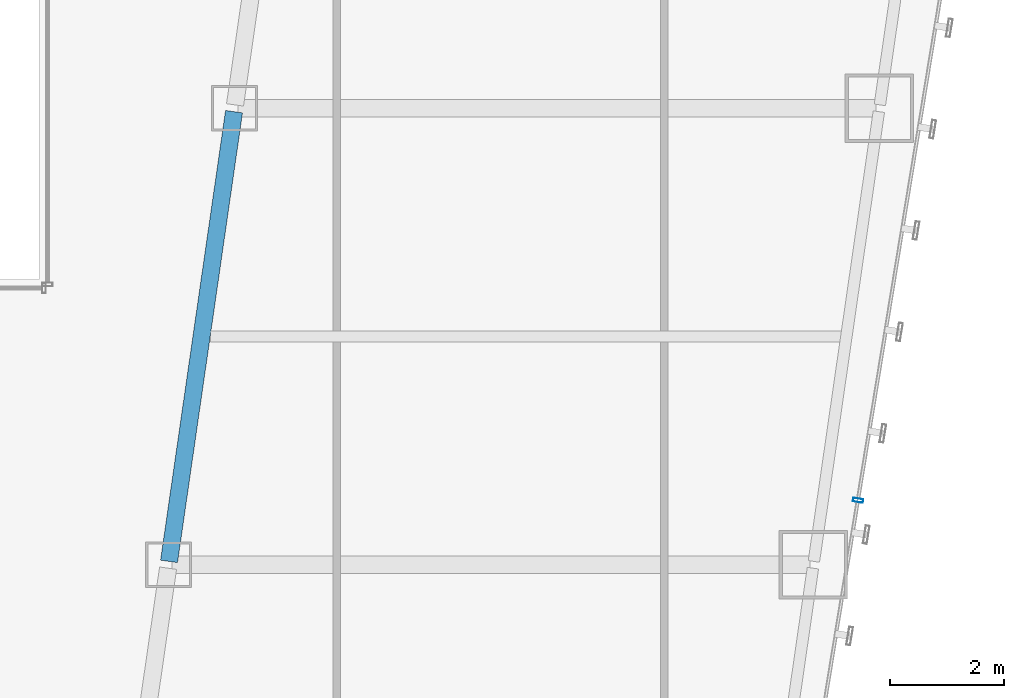
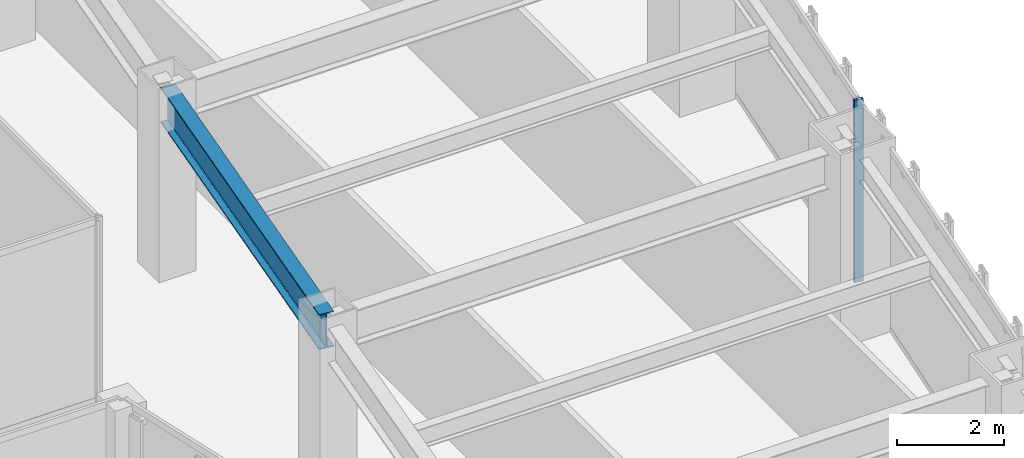
# One storey, part 17 of 49: 1 beam, 1 member, 1 element without a shape of its own.
"""IFC4 building model written with IfcOpenShell, lengths in metres."""

import ifcopenshell
import ifcopenshell.guid

model = None  # the IFC model being written
_history = None  # IfcOwnerHistory: only IFC2X3 demands one
_inside = {}  # id of a spatial element -> (the spatial element, [elements in it])
_under = {}  # id of a project, library or spatial element -> (it, [spatial elements below it])
_declared = {}  # id of a project -> (the project, [libraries it declares])
_typed = {}  # id of a type object -> (the type object, [elements of that type])
_made_of = {}  # id of a material, layer set ... -> (it, [elements and type objects made of it])


def new_model(schema):
    """Start an empty IFC model of exactly this schema.

    Asked for "IFC4X3", IfcOpenShell would pick the latest addendum, in which some entities
    have other attributes; the version numbers below select the first issue.
    IFC2X3 requires an IfcOwnerHistory on every rooted entity: one is made here for all.
    """
    global model, _history
    if schema == "IFC4X3":
        model = ifcopenshell.file(schema_version=(4, 3, 0, 0))
    else:
        model = ifcopenshell.file(schema=schema)
    _inside.clear()
    _under.clear()
    _declared.clear()
    _typed.clear()
    _made_of.clear()
    _history = None
    if model.schema == "IFC2X3":
        org = make("IfcOrganization", Name="unknown")
        user = make(
            "IfcPersonAndOrganization",
            ThePerson=make("IfcPerson", FamilyName="unknown"),
            TheOrganization=org,
        )
        app = make(
            "IfcApplication",
            ApplicationDeveloper=org,
            Version="unknown",
            ApplicationFullName="unknown",
            ApplicationIdentifier="unknown",
        )
        _history = make(
            "IfcOwnerHistory",
            OwningUser=user,
            OwningApplication=app,
            ChangeAction="ADDED",
            CreationDate=0,
        )
    return model


def make(cls, **values):
    """One entity of the class cls with the attributes given. An attribute that is None is left unset."""
    return model.create_entity(
        cls, **{name: value for name, value in values.items() if value is not None}
    )


def rooted(cls, **values):
    """An entity with a GlobalId (a new one), such as an element, a storey or a relation."""
    return make(cls, GlobalId=ifcopenshell.guid.new(), OwnerHistory=_history, **values)


def si_unit(unit_type, name, prefix=None):
    """IfcSIUnit, for example si_unit("LENGTHUNIT", "METRE", prefix="MILLI")."""
    return make("IfcSIUnit", UnitType=unit_type, Prefix=prefix, Name=name)


def assignment(units):
    """IfcUnitAssignment: the units of a project."""
    return None if units is None else make("IfcUnitAssignment", Units=units)


def point(xyz):
    """IfcCartesianPoint."""
    return None if xyz is None else make("IfcCartesianPoint", Coordinates=xyz)


def direction(xyz):
    """IfcDirection."""
    return None if xyz is None else make("IfcDirection", DirectionRatios=xyz)


def frame(location, z_axis=None, x_axis=None):
    """IfcAxis2Placement3D, a coordinate frame: its origin and axes. An axis left out is left unset."""
    return make(
        "IfcAxis2Placement3D",
        Location=point(location),
        Axis=direction(z_axis),
        RefDirection=direction(x_axis),
    )


def frame_2d(location, x_axis=None):
    """IfcAxis2Placement2D, a coordinate frame in the plane: its origin and x axis."""
    return make(
        "IfcAxis2Placement2D", Location=point(location), RefDirection=direction(x_axis)
    )


def origin():
    """The frame at (0, 0, 0) with its axes left unset."""
    return frame((0.0, 0.0, 0.0))


def origin_2d():
    """The frame at (0, 0) in the plane with its x axis left unset."""
    return frame_2d((0.0, 0.0))


def place(relative_to, where):
    """IfcLocalPlacement: puts the frame where relative to a parent placement (None: the world)."""
    return make(
        "IfcLocalPlacement", PlacementRelTo=relative_to, RelativePlacement=where
    )


def context(
    kind, dimensions, precision=None, world=None, true_north=None, identifier=None
):
    """IfcGeometricRepresentationContext, for example the 3D "Model" context."""
    return make(
        "IfcGeometricRepresentationContext",
        ContextIdentifier=identifier,
        ContextType=kind,
        CoordinateSpaceDimension=dimensions,
        Precision=precision,
        WorldCoordinateSystem=world,
        TrueNorth=true_north,
    )


def subcontext(parent, identifier, kind, view, scale=None):
    """IfcGeometricRepresentationSubContext, for example "Body" below "Model"."""
    return make(
        "IfcGeometricRepresentationSubContext",
        ContextIdentifier=identifier,
        ContextType=kind,
        ParentContext=parent,
        TargetScale=scale,
        TargetView=view,
    )


def project(units=None, contexts=None):
    """IfcProject with its units and contexts."""
    return rooted(
        "IfcProject",
        Name="project",
        RepresentationContexts=contexts,
        UnitsInContext=assignment(units),
    )


def spatial(cls, under=None, at=None, **own):
    """A site, building, storey or space (cls), placed at a placement, below another one or the project."""
    s = rooted(cls, ObjectPlacement=at, **own)
    if under is not None:
        _under.setdefault(under.id(), (under, []))[1].append(s)
    return s


def profile(cls, at=None, kind="AREA", **sizes):
    """A parametric profile (cls). Its sizes go by their IFC names, for example OverallWidth=200.0."""
    return make(cls, ProfileType=kind, Position=at, **sizes)


def hollow_rectangle(**sizes):
    """IfcRectangleHollowProfileDef."""
    return profile("IfcRectangleHollowProfileDef", **sizes)


def i_section(**sizes):
    """IfcIShapeProfileDef."""
    return profile("IfcIShapeProfileDef", **sizes)


def extrude(swept, where, along, depth):
    """IfcExtrudedAreaSolid: the profile swept, set in the frame where, extruded along a direction by depth."""
    return make(
        "IfcExtrudedAreaSolid",
        SweptArea=swept,
        Position=where,
        ExtrudedDirection=direction(along),
        Depth=depth,
    )


def shape(context_of_items, identifier, shape_type, items):
    """IfcShapeRepresentation: the items that make up one representation, for example the "Body"."""
    return make(
        "IfcShapeRepresentation",
        ContextOfItems=context_of_items,
        RepresentationIdentifier=identifier,
        RepresentationType=shape_type,
        Items=items,
    )


def material(Name=None, Category=None):
    """IfcMaterial."""
    return make("IfcMaterial", Name=Name, Category=Category)


def material_profile(
    of_material, cross_section, Name=None, Category=None, Priority=None
):
    """IfcMaterialProfile: a cross section and its material."""
    return make(
        "IfcMaterialProfile",
        Name=Name,
        Material=of_material,
        Profile=cross_section,
        Priority=Priority,
        Category=Category,
    )


def profile_set(profiles, Name=None, composite=None):
    """IfcMaterialProfileSet."""
    return make(
        "IfcMaterialProfileSet",
        Name=Name,
        MaterialProfiles=profiles,
        CompositeProfile=composite,
    )


def made_of(thing, what):
    """Note that an element or type object is made of a material, layer set ...; save() writes the relation."""
    if what is not None:
        _made_of.setdefault(what.id(), (what, []))[1].append(thing)
    return thing


def type_object(cls, material=None, **own):
    """A type object (cls), such as IfcWallType, which elements share."""
    return made_of(rooted(cls, **own), material)


def element(
    cls,
    number,
    at=None,
    inside=None,
    cuts=None,
    type_object=None,
    material=None,
    context=None,
    identifier="Body",
    shape_type=None,
    held_by="IfcProductDefinitionShape",
    body=None,
    shapes=None,
    **own,
):
    """One element of the class cls, such as IfcWall. Its Tag is "e" and its number.

    at: its placement. inside: the storey or other place that contains it. cuts: it is an
    opening in that element (IfcRelVoidsElement). A single representation is given by context,
    identifier, shape_type and body (its items); several are given by shapes. held_by: the class
    of the entity that holds the representations. save() writes the other relations.
    """
    e = rooted(cls, Tag="e%d" % number, ObjectPlacement=at, **own)
    if body is not None:
        shapes = [shape(context, identifier, shape_type, body)]
    if shapes is not None:
        e.Representation = make(held_by, Representations=shapes)
    if inside is not None:
        _inside.setdefault(inside.id(), (inside, []))[1].append(e)
    if cuts is not None:
        rooted(
            "IfcRelVoidsElement", RelatingBuildingElement=cuts, RelatedOpeningElement=e
        )
    if type_object is not None:
        _typed.setdefault(type_object.id(), (type_object, []))[1].append(e)
    return made_of(e, material)


def aggregate(whole, parts):
    """IfcRelAggregates: a whole, such as a stair, and the parts it consists of."""
    return rooted("IfcRelAggregates", RelatingObject=whole, RelatedObjects=parts)


def save(model, path):
    """Write the relations noted so far, then the file.

    IfcRelAggregates (storeys below a building ...), IfcRelContainedInSpatialStructure (elements
    in a storey), IfcRelDefinesByType, IfcRelAssociatesMaterial and IfcRelDeclares: one each for
    every whole, place, type object, material and project.
    """
    for whole, parts in _under.values():
        aggregate(whole, parts)
    for where, things in _inside.values():
        rooted(
            "IfcRelContainedInSpatialStructure",
            RelatedElements=things,
            RelatingStructure=where,
        )
    for kind, things in _typed.values():
        rooted("IfcRelDefinesByType", RelatedObjects=things, RelatingType=kind)
    for what, things in _made_of.values():
        rooted("IfcRelAssociatesMaterial", RelatedObjects=things, RelatingMaterial=what)
    for by, libraries in _declared.values():
        rooted("IfcRelDeclares", RelatingContext=by, RelatedDefinitions=libraries)
    model.write(path)


model = new_model("IFC4")

# Units and contexts
model_context = context("Model", 3, precision=1e-05, world=origin(), true_north=direction((0.0, 1.0)))
body_context = subcontext(model_context, "Body", "Model", "MODEL_VIEW")
ifc_project = project(units=[si_unit("LENGTHUNIT", "METRE"), si_unit("AREAUNIT", "SQUARE_METRE"), si_unit("VOLUMEUNIT", "CUBIC_METRE"), si_unit("PLANEANGLEUNIT", "RADIAN"), si_unit("MASSUNIT", "GRAM", prefix="KILO")], contexts=[model_context])

# Site, building, storey
site_placement = place(None, origin())
site = spatial("IfcSite", under=ifc_project, at=site_placement, CompositionType="ELEMENT")
building_placement = place(site_placement, origin())
building = spatial("IfcBuilding", under=site, at=building_placement, Name="Saevonmaru Cultural Tower", CompositionType="ELEMENT")
storey_placement = place(building_placement, frame((0.0, 0.0, 73.60009765625)))
storey = spatial("IfcBuildingStorey", under=building, at=storey_placement, Name="L15", CompositionType="ELEMENT", Elevation=73.60009765625)

# Beam
ifc_material_1 = material(Name="Steel SM420", Category="steel")
ifc_material_profile_1 = material_profile(ifc_material_1, i_section(OverallWidth=0.300048828125, OverallDepth=0.800048828125, WebThickness=0.013916015625, FlangeThickness=0.02587890625, FilletRadius=0.028076171875, at=origin_2d()), Name="H-800x300x14x26")
ifc_profile_set_1 = profile_set([ifc_material_profile_1], Name="Steel SM420")
beam_type = type_object("IfcBeamType", Name="BM-G-H800", PredefinedType="BEAM", material=ifc_profile_set_1)
beam_placement = place(storey_placement, frame((38.08056640625, 16.059326171875, 3.75), z_axis=(0.143022161059, 0.989719486241, 0.0), x_axis=(-0.989719486241, 0.143022161059, 0.0)))
element("IfcBeam", 1, at=beam_placement, inside=storey, type_object=beam_type, Name="L15 East Atrium Girder 3", PredefinedType="BEAM", context=body_context, shape_type="SweptSolid", body=[
    extrude(i_section(OverallWidth=0.300048828125, OverallDepth=0.800048828125, WebThickness=0.013916015625, FlangeThickness=0.02587890625, FilletRadius=0.028076171875, at=origin_2d()), origin(), (0.0, 0.0, 1.0), 7.963134765625),
])

# Curtain wall, member
ifc_material_2 = material(Name="Satin Bronze Anodised Aluminium", Category="aluminium")
curtain_wall_type = type_object("IfcCurtainWallType", Name="CW-TYP-A", PredefinedType="NOTDEFINED", material=ifc_material_2)
curtain_wall_placement = place(storey_placement, origin())
curtain_wall = element("IfcCurtainWall", 2, at=curtain_wall_placement, inside=storey, type_object=curtain_wall_type, Name="L15 Unitised Curtain Wall E8", PredefinedType="NOTDEFINED")
ifc_material_profile_2 = material_profile(ifc_material_2, hollow_rectangle(XDim=0.06494140625, YDim=0.179931640625, WallThickness=0.00390625, at=origin_2d()), Name="ALU-MULL-180x65x4")
ifc_profile_set_2 = profile_set([ifc_material_profile_2], Name="Satin Bronze Anodised Aluminium")
member_type = type_object("IfcMemberType", Name="ML-CW-180x65", PredefinedType="MULLION", material=ifc_profile_set_2)
member_placement = place(storey_placement, frame((50.15478515625, 17.129638671875, 0.0), z_axis=(0.0, 0.0, 1.0), x_axis=(0.161708868641, 0.986838508472, 0.0)))
member = element("IfcMember", 3, at=member_placement, type_object=member_type, Name="CW-TW-L15-E8 mullion 2", PredefinedType="MULLION", context=body_context, shape_type="SweptSolid", body=[
    extrude(hollow_rectangle(XDim=0.06494140625, YDim=0.179931640625, WallThickness=0.00390625, at=origin_2d()), origin(), (0.0, 0.0, 1.0), 4.14990234375),
])
aggregate(curtain_wall, [member])

save(model, "model.ifc")
